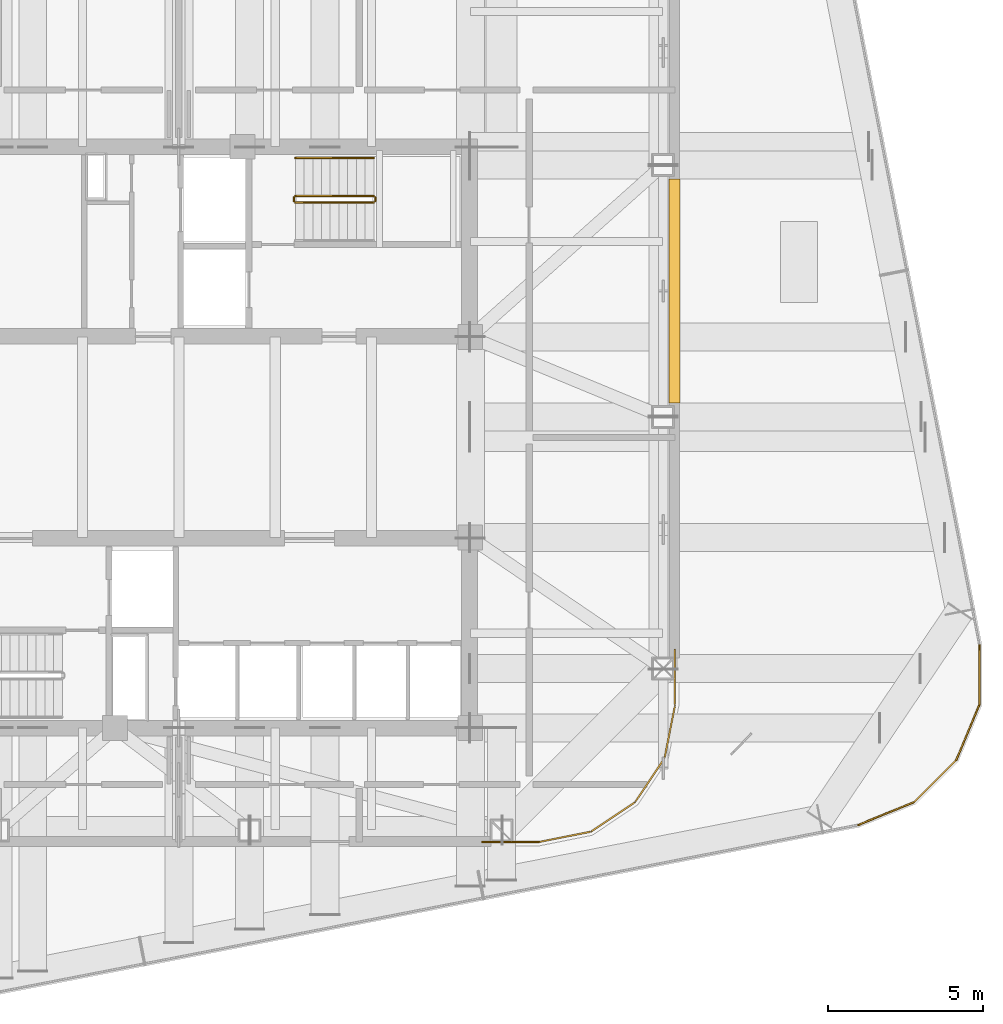
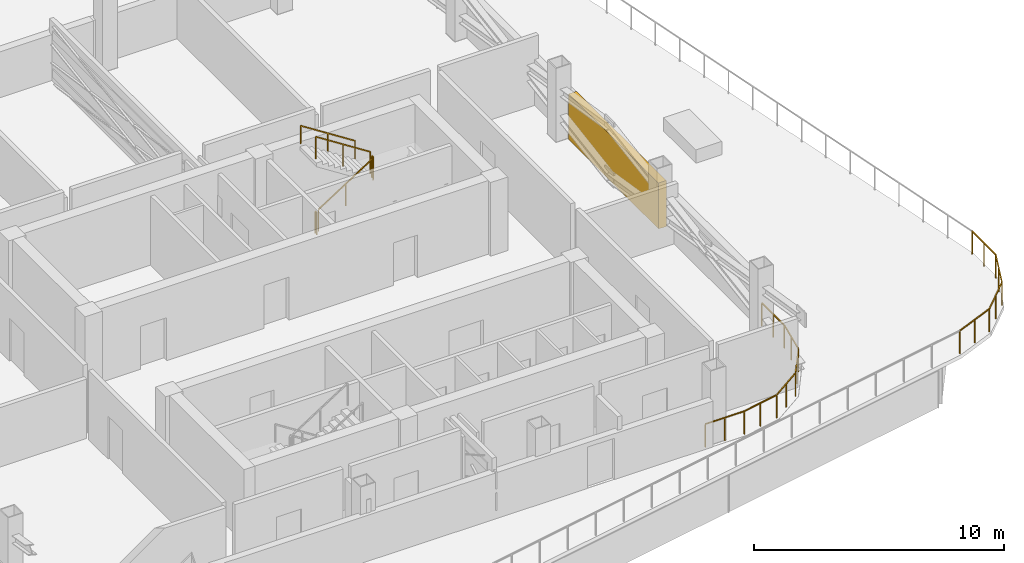
# One storey, part 13 of 14: 11 railings, 1 shading device.
"""IFC4 building model written with IfcOpenShell, lengths in metres."""

import ifcopenshell
import ifcopenshell.guid

model = None  # the IFC model being written
_history = None  # IfcOwnerHistory: only IFC2X3 demands one
_inside = {}  # id of a spatial element -> (the spatial element, [elements in it])
_under = {}  # id of a project, library or spatial element -> (it, [spatial elements below it])
_declared = {}  # id of a project -> (the project, [libraries it declares])
_typed = {}  # id of a type object -> (the type object, [elements of that type])
_made_of = {}  # id of a material, layer set ... -> (it, [elements and type objects made of it])


def new_model(schema):
    """Start an empty IFC model of exactly this schema.

    Asked for "IFC4X3", IfcOpenShell would pick the latest addendum, in which some entities
    have other attributes; the version numbers below select the first issue.
    IFC2X3 requires an IfcOwnerHistory on every rooted entity: one is made here for all.
    """
    global model, _history
    if schema == "IFC4X3":
        model = ifcopenshell.file(schema_version=(4, 3, 0, 0))
    else:
        model = ifcopenshell.file(schema=schema)
    _inside.clear()
    _under.clear()
    _declared.clear()
    _typed.clear()
    _made_of.clear()
    _history = None
    if model.schema == "IFC2X3":
        org = make("IfcOrganization", Name="unknown")
        user = make(
            "IfcPersonAndOrganization",
            ThePerson=make("IfcPerson", FamilyName="unknown"),
            TheOrganization=org,
        )
        app = make(
            "IfcApplication",
            ApplicationDeveloper=org,
            Version="unknown",
            ApplicationFullName="unknown",
            ApplicationIdentifier="unknown",
        )
        _history = make(
            "IfcOwnerHistory",
            OwningUser=user,
            OwningApplication=app,
            ChangeAction="ADDED",
            CreationDate=0,
        )
    return model


def make(cls, **values):
    """One entity of the class cls with the attributes given. An attribute that is None is left unset."""
    return model.create_entity(
        cls, **{name: value for name, value in values.items() if value is not None}
    )


def rooted(cls, **values):
    """An entity with a GlobalId (a new one), such as an element, a storey or a relation."""
    return make(cls, GlobalId=ifcopenshell.guid.new(), OwnerHistory=_history, **values)


def si_unit(unit_type, name, prefix=None):
    """IfcSIUnit, for example si_unit("LENGTHUNIT", "METRE", prefix="MILLI")."""
    return make("IfcSIUnit", UnitType=unit_type, Prefix=prefix, Name=name)


def assignment(units):
    """IfcUnitAssignment: the units of a project."""
    return None if units is None else make("IfcUnitAssignment", Units=units)


def point(xyz):
    """IfcCartesianPoint."""
    return None if xyz is None else make("IfcCartesianPoint", Coordinates=xyz)


def direction(xyz):
    """IfcDirection."""
    return None if xyz is None else make("IfcDirection", DirectionRatios=xyz)


def frame(location, z_axis=None, x_axis=None):
    """IfcAxis2Placement3D, a coordinate frame: its origin and axes. An axis left out is left unset."""
    return make(
        "IfcAxis2Placement3D",
        Location=point(location),
        Axis=direction(z_axis),
        RefDirection=direction(x_axis),
    )


def frame_2d(location, x_axis=None):
    """IfcAxis2Placement2D, a coordinate frame in the plane: its origin and x axis."""
    return make(
        "IfcAxis2Placement2D", Location=point(location), RefDirection=direction(x_axis)
    )


def origin():
    """The frame at (0, 0, 0) with its axes left unset."""
    return frame((0.0, 0.0, 0.0))


def origin_2d():
    """The frame at (0, 0) in the plane with its x axis left unset."""
    return frame_2d((0.0, 0.0))


def place(relative_to, where):
    """IfcLocalPlacement: puts the frame where relative to a parent placement (None: the world)."""
    return make(
        "IfcLocalPlacement", PlacementRelTo=relative_to, RelativePlacement=where
    )


def context(
    kind, dimensions, precision=None, world=None, true_north=None, identifier=None
):
    """IfcGeometricRepresentationContext, for example the 3D "Model" context."""
    return make(
        "IfcGeometricRepresentationContext",
        ContextIdentifier=identifier,
        ContextType=kind,
        CoordinateSpaceDimension=dimensions,
        Precision=precision,
        WorldCoordinateSystem=world,
        TrueNorth=true_north,
    )


def subcontext(parent, identifier, kind, view, scale=None):
    """IfcGeometricRepresentationSubContext, for example "Body" below "Model"."""
    return make(
        "IfcGeometricRepresentationSubContext",
        ContextIdentifier=identifier,
        ContextType=kind,
        ParentContext=parent,
        TargetScale=scale,
        TargetView=view,
    )


def project(units=None, contexts=None):
    """IfcProject with its units and contexts."""
    return rooted(
        "IfcProject",
        Name="project",
        RepresentationContexts=contexts,
        UnitsInContext=assignment(units),
    )


def spatial(cls, under=None, at=None, **own):
    """A site, building, storey or space (cls), placed at a placement, below another one or the project."""
    s = rooted(cls, ObjectPlacement=at, **own)
    if under is not None:
        _under.setdefault(under.id(), (under, []))[1].append(s)
    return s


def profile(cls, at=None, kind="AREA", **sizes):
    """A parametric profile (cls). Its sizes go by their IFC names, for example OverallWidth=200.0."""
    return make(cls, ProfileType=kind, Position=at, **sizes)


def rectangle(**sizes):
    """IfcRectangleProfileDef."""
    return profile("IfcRectangleProfileDef", **sizes)


def extrude(swept, where, along, depth):
    """IfcExtrudedAreaSolid: the profile swept, set in the frame where, extruded along a direction by depth."""
    return make(
        "IfcExtrudedAreaSolid",
        SweptArea=swept,
        Position=where,
        ExtrudedDirection=direction(along),
        Depth=depth,
    )


def shape(context_of_items, identifier, shape_type, items):
    """IfcShapeRepresentation: the items that make up one representation, for example the "Body"."""
    return make(
        "IfcShapeRepresentation",
        ContextOfItems=context_of_items,
        RepresentationIdentifier=identifier,
        RepresentationType=shape_type,
        Items=items,
    )


def material(Name=None, Category=None):
    """IfcMaterial."""
    return make("IfcMaterial", Name=Name, Category=Category)


def made_of(thing, what):
    """Note that an element or type object is made of a material, layer set ...; save() writes the relation."""
    if what is not None:
        _made_of.setdefault(what.id(), (what, []))[1].append(thing)
    return thing


def type_object(cls, material=None, **own):
    """A type object (cls), such as IfcWallType, which elements share."""
    return made_of(rooted(cls, **own), material)


def element(
    cls,
    number,
    at=None,
    inside=None,
    cuts=None,
    type_object=None,
    material=None,
    context=None,
    identifier="Body",
    shape_type=None,
    held_by="IfcProductDefinitionShape",
    body=None,
    shapes=None,
    **own,
):
    """One element of the class cls, such as IfcWall. Its Tag is "e" and its number.

    at: its placement. inside: the storey or other place that contains it. cuts: it is an
    opening in that element (IfcRelVoidsElement). A single representation is given by context,
    identifier, shape_type and body (its items); several are given by shapes. held_by: the class
    of the entity that holds the representations. save() writes the other relations.
    """
    e = rooted(cls, Tag="e%d" % number, ObjectPlacement=at, **own)
    if body is not None:
        shapes = [shape(context, identifier, shape_type, body)]
    if shapes is not None:
        e.Representation = make(held_by, Representations=shapes)
    if inside is not None:
        _inside.setdefault(inside.id(), (inside, []))[1].append(e)
    if cuts is not None:
        rooted(
            "IfcRelVoidsElement", RelatingBuildingElement=cuts, RelatedOpeningElement=e
        )
    if type_object is not None:
        _typed.setdefault(type_object.id(), (type_object, []))[1].append(e)
    return made_of(e, material)


def aggregate(whole, parts):
    """IfcRelAggregates: a whole, such as a stair, and the parts it consists of."""
    return rooted("IfcRelAggregates", RelatingObject=whole, RelatedObjects=parts)


def save(model, path):
    """Write the relations noted so far, then the file.

    IfcRelAggregates (storeys below a building ...), IfcRelContainedInSpatialStructure (elements
    in a storey), IfcRelDefinesByType, IfcRelAssociatesMaterial and IfcRelDeclares: one each for
    every whole, place, type object, material and project.
    """
    for whole, parts in _under.values():
        aggregate(whole, parts)
    for where, things in _inside.values():
        rooted(
            "IfcRelContainedInSpatialStructure",
            RelatedElements=things,
            RelatingStructure=where,
        )
    for kind, things in _typed.values():
        rooted("IfcRelDefinesByType", RelatedObjects=things, RelatingType=kind)
    for what, things in _made_of.values():
        rooted("IfcRelAssociatesMaterial", RelatedObjects=things, RelatingMaterial=what)
    for by, libraries in _declared.values():
        rooted("IfcRelDeclares", RelatingContext=by, RelatedDefinitions=libraries)
    model.write(path)


model = new_model("IFC4")

# Units and contexts
model_context = context("Model", 3, precision=1e-05, world=origin(), true_north=direction((0.0, 1.0)))
body_context = subcontext(model_context, "Body", "Model", "MODEL_VIEW")
ifc_project = project(units=[si_unit("LENGTHUNIT", "METRE"), si_unit("AREAUNIT", "SQUARE_METRE"), si_unit("VOLUMEUNIT", "CUBIC_METRE"), si_unit("PLANEANGLEUNIT", "RADIAN"), si_unit("MASSUNIT", "GRAM", prefix="KILO")], contexts=[model_context])

# Site, building, storey
site_placement = place(None, origin())
site = spatial("IfcSite", under=ifc_project, at=site_placement, CompositionType="ELEMENT")
building_placement = place(site_placement, origin())
building = spatial("IfcBuilding", under=site, at=building_placement, Name="Qhalaya Broadcast Tower", CompositionType="ELEMENT")
storey_placement = place(building_placement, frame((0.0, 0.0, 144.60009765625)))
storey = spatial("IfcBuildingStorey", under=building, at=storey_placement, Name="L42", CompositionType="ELEMENT", Elevation=144.60009765625)

# Shading device
ifc_material_1 = material(Name="Fired Architectural Terracotta", Category="masonry")
shading_device_type = type_object("IfcShadingDeviceType", Name="Plant & Turbine-Slot Acoustic Louvre Screen LVS-01", PredefinedType="USERDEFINED", material=ifc_material_1)
shading_device_placement = place(storey_placement, frame((15.93994140625, 5.31005859375, 0.0), z_axis=(0.0, 0.0, 1.0), x_axis=(0.0, -1.0, 0.0)))
element("IfcShadingDevice", 1, at=shading_device_placement, inside=storey, type_object=shading_device_type, Name="L42 Plant Acoustic Louvre Screen E", ObjectType="LOUVRE", PredefinedType="USERDEFINED", context=body_context, shape_type="SweptSolid", body=[
    extrude(rectangle(XDim=7.199951171875, YDim=0.360107421875, at=origin_2d()), origin(), (0.0, 0.0, 1.0), 2.241943359375),
])

# Railings
ifc_material_2 = material(Name="Powder-Coated Galvanised Steel", Category="steel")
railing_type_1 = type_object("IfcRailingType", Name="Stair Wall Handrail 900", PredefinedType="HANDRAIL", material=ifc_material_2)
railing_1_placement = place(storey_placement, frame((6.27001953125, 9.590087890625, 1.97998046875)))
element("IfcRailing", 2, at=railing_1_placement, inside=storey, type_object=railing_type_1, Name="L42 ST-1 Stair Handrail 2", PredefinedType="HANDRAIL", context=body_context, shape_type="SweptSolid", body=[
    extrude(rectangle(XDim=0.048095703125, YDim=0.048095703125, at=origin_2d()), frame((0.0, 0.0, 0.8759765625), z_axis=(-0.841199657755, 0.0, 0.540724639528), x_axis=(0.0, -1.0, 0.0)), (0.0, 0.0, 1.0), 2.995849609375),
    extrude(rectangle(XDim=0.0419921875, YDim=0.0419921875, at=origin_2d()), origin(), (0.0, 0.0, 1.0), 0.849853515625),
    extrude(rectangle(XDim=0.0419921875, YDim=0.0419921875, at=origin_2d()), frame((-1.260009765625, 0.0, 0.81005859375)), (0.0, 0.0, 1.0), 0.849853515625),
    extrude(rectangle(XDim=0.0419921875, YDim=0.0419921875, at=origin_2d()), frame((-2.52001953125, 0.0, 1.619873046875)), (0.0, 0.0, 1.0), 0.849853515625),
])
railing_type_2 = type_object("IfcRailingType", Name="Stair Well & Landing Guardrail 1100", PredefinedType="GUARDRAIL", material=ifc_material_2)
railing_2_placement = place(storey_placement, frame((3.75, 8.14990234375, 0.179931640625)))
element("IfcRailing", 3, at=railing_2_placement, inside=storey, type_object=railing_type_2, Name="L42 ST-1 Stair Guard 1", PredefinedType="GUARDRAIL", context=body_context, shape_type="SweptSolid", body=[
    extrude(rectangle(XDim=0.048095703125, YDim=0.048095703125, at=origin_2d()), frame((0.0, 0.0, 1.076171875), z_axis=(0.841199657755, 0.0, 0.540724639528), x_axis=(0.0, 1.0, 0.0)), (0.0, 0.0, 1.0), 2.995849609375),
    extrude(rectangle(XDim=0.0419921875, YDim=0.0419921875, at=origin_2d()), origin(), (0.0, 0.0, 1.0), 1.050048828125),
    extrude(rectangle(XDim=0.0419921875, YDim=0.0419921875, at=origin_2d()), frame((1.260009765625, 0.0, 0.81005859375)), (0.0, 0.0, 1.0), 1.050048828125),
    extrude(rectangle(XDim=0.0419921875, YDim=0.0419921875, at=origin_2d()), frame((2.52001953125, 0.0, 1.619873046875)), (0.0, 0.0, 1.0), 1.050048828125),
])
railing_3_placement = place(storey_placement, frame((6.320068359375, 8.199951171875, 1.7998046875)))
element("IfcRailing", 4, at=railing_3_placement, inside=storey, type_object=railing_type_2, Name="L42 ST-1 Stair Guard 2", PredefinedType="GUARDRAIL", context=body_context, shape_type="SweptSolid", body=[
    extrude(rectangle(XDim=0.048095703125, YDim=0.048095703125, at=origin_2d()), frame((0.0, 0.0, 1.076171875), z_axis=(0.0, 1.0, 0.0), x_axis=(-1.0, 0.0, 0.0)), (0.0, 0.0, 1.0), 0.1201171875),
    extrude(rectangle(XDim=0.0419921875, YDim=0.0419921875, at=origin_2d()), origin(), (0.0, 0.0, 1.0), 1.050048828125),
    extrude(rectangle(XDim=0.0419921875, YDim=0.0419921875, at=origin_2d()), frame((0.0, 0.1201171875, 0.0)), (0.0, 0.0, 1.0), 1.050048828125),
])
railing_4_placement = place(storey_placement, frame((6.27001953125, 8.3701171875, 1.97998046875)))
element("IfcRailing", 5, at=railing_4_placement, inside=storey, type_object=railing_type_2, Name="L42 ST-1 Stair Guard 3", PredefinedType="GUARDRAIL", context=body_context, shape_type="SweptSolid", body=[
    extrude(rectangle(XDim=0.048095703125, YDim=0.048095703125, at=origin_2d()), frame((0.0, 0.0, 1.076171875), z_axis=(-0.841199657755, 0.0, 0.540724639528), x_axis=(0.0, -1.0, 0.0)), (0.0, 0.0, 1.0), 2.995849609375),
    extrude(rectangle(XDim=0.0419921875, YDim=0.0419921875, at=origin_2d()), origin(), (0.0, 0.0, 1.0), 1.050048828125),
    extrude(rectangle(XDim=0.0419921875, YDim=0.0419921875, at=origin_2d()), frame((-1.260009765625, 0.0, 0.81005859375)), (0.0, 0.0, 1.0), 1.050048828125),
    extrude(rectangle(XDim=0.0419921875, YDim=0.0419921875, at=origin_2d()), frame((-2.52001953125, 0.0, 1.619873046875)), (0.0, 0.0, 1.0), 1.050048828125),
])
railing_5_placement = place(storey_placement, frame((3.699951171875, 8.199951171875, 0.0)))
element("IfcRailing", 6, at=railing_5_placement, inside=storey, type_object=railing_type_2, Name="L42 ST-1 Stair Guard 4", PredefinedType="GUARDRAIL", context=body_context, shape_type="SweptSolid", body=[
    extrude(rectangle(XDim=0.048095703125, YDim=0.048095703125, at=origin_2d()), frame((0.0, 0.0, 1.076171875), z_axis=(0.0, 1.0, 0.0), x_axis=(-1.0, 0.0, 0.0)), (0.0, 0.0, 1.0), 0.1201171875),
    extrude(rectangle(XDim=0.0419921875, YDim=0.0419921875, at=origin_2d()), origin(), (0.0, 0.0, 1.0), 1.050048828125),
    extrude(rectangle(XDim=0.0419921875, YDim=0.0419921875, at=origin_2d()), frame((0.0, 0.1201171875, 0.0)), (0.0, 0.0, 1.0), 1.050048828125),
])
railing_type_3 = type_object("IfcRailingType", Name="Terrace, Sky-Pool & Lookout Glass Balustrade 1150", PredefinedType="BALUSTRADE", material=ifc_material_2)
railing_6_placement = place(storey_placement, frame((25.756103515625, -6.089599609375, 0.0)))
element("IfcRailing", 7, at=railing_6_placement, inside=storey, type_object=railing_type_3, Name="L42 Perimeter Safety Balustrade BAL-TER1-17", PredefinedType="BALUSTRADE", context=body_context, shape_type="SweptSolid", body=[
    extrude(rectangle(XDim=0.048095703125, YDim=0.048095703125, at=origin_2d()), frame((0.0, 0.0, 1.1259765625), z_axis=(-0.004307574377, -0.999990722358, 0.0), x_axis=(0.999990722358, -0.004307574377, 0.0)), (0.0, 0.0, 1.0), 1.927001953125),
    extrude(rectangle(XDim=0.0419921875, YDim=0.0419921875, at=origin_2d()), origin(), (0.0, 0.0, 1.0), 1.099853515625),
    extrude(rectangle(XDim=0.0419921875, YDim=0.0419921875, at=origin_2d()), frame((-0.004150390625, -0.96337890625, 0.0)), (0.0, 0.0, 1.0), 1.099853515625),
    extrude(rectangle(XDim=0.0419921875, YDim=0.0419921875, at=origin_2d()), frame((-0.00830078125, -1.927001953125, 0.0)), (0.0, 0.0, 1.0), 1.099853515625),
])
railing_7_placement = place(storey_placement, frame((25.747802734375, -8.0166015625, 0.0)))
element("IfcRailing", 8, at=railing_7_placement, inside=storey, type_object=railing_type_3, Name="L42 Perimeter Safety Balustrade BAL-TER1-18", PredefinedType="BALUSTRADE", context=body_context, shape_type="SweptSolid", body=[
    extrude(rectangle(XDim=0.048095703125, YDim=0.048095703125, at=origin_2d()), frame((0.0, 0.0, 1.1259765625), z_axis=(-0.386691780057, -0.92220901494, 0.0), x_axis=(0.92220901494, -0.386691780057, 0.0)), (0.0, 0.0, 1.0), 1.91943359375),
    extrude(rectangle(XDim=0.0419921875, YDim=0.0419921875, at=origin_2d()), origin(), (0.0, 0.0, 1.0), 1.099853515625),
    extrude(rectangle(XDim=0.0419921875, YDim=0.0419921875, at=origin_2d()), frame((-0.37109375, -0.885009765625, 0.0)), (0.0, 0.0, 1.0), 1.099853515625),
    extrude(rectangle(XDim=0.0419921875, YDim=0.0419921875, at=origin_2d()), frame((-0.7421875, -1.77001953125, 0.0)), (0.0, 0.0, 1.0), 1.099853515625),
])
railing_8_placement = place(storey_placement, frame((25.005615234375, -9.78662109375, 0.0)))
element("IfcRailing", 9, at=railing_8_placement, inside=storey, type_object=railing_type_3, Name="L42 Perimeter Safety Balustrade BAL-TER1-19", PredefinedType="BALUSTRADE", context=body_context, shape_type="SweptSolid", body=[
    extrude(rectangle(XDim=0.048095703125, YDim=0.048095703125, at=origin_2d()), frame((0.0, 0.0, 1.1259765625), z_axis=(-0.71028017702, -0.70391907925, 0.0), x_axis=(0.70391907925, -0.71028017702, 0.0)), (0.0, 0.0, 1.0), 1.9189453125),
    extrude(rectangle(XDim=0.0419921875, YDim=0.0419921875, at=origin_2d()), origin(), (0.0, 0.0, 1.0), 1.099853515625),
    extrude(rectangle(XDim=0.0419921875, YDim=0.0419921875, at=origin_2d()), frame((-0.681640625, -0.67529296875, 0.0)), (0.0, 0.0, 1.0), 1.099853515625),
    extrude(rectangle(XDim=0.0419921875, YDim=0.0419921875, at=origin_2d()), frame((-1.363037109375, -1.350830078125, 0.0)), (0.0, 0.0, 1.0), 1.099853515625),
])
railing_9_placement = place(storey_placement, frame((23.642578125, -11.137451171875, 0.0)))
element("IfcRailing", 10, at=railing_9_placement, inside=storey, type_object=railing_type_3, Name="L42 Perimeter Safety Balustrade BAL-TER1-20", PredefinedType="BALUSTRADE", context=body_context, shape_type="SweptSolid", body=[
    extrude(rectangle(XDim=0.048095703125, YDim=0.048095703125, at=origin_2d()), frame((0.0, 0.0, 1.1259765625), z_axis=(-0.92553888422, -0.37865257664, 0.0), x_axis=(0.37865257664, -0.92553888422, 0.0)), (0.0, 0.0, 1.0), 1.92724609375),
    extrude(rectangle(XDim=0.0419921875, YDim=0.0419921875, at=origin_2d()), origin(), (0.0, 0.0, 1.0), 1.099853515625),
    extrude(rectangle(XDim=0.0419921875, YDim=0.0419921875, at=origin_2d()), frame((-0.891845703125, -0.36474609375, 0.0)), (0.0, 0.0, 1.0), 1.099853515625),
    extrude(rectangle(XDim=0.0419921875, YDim=0.0419921875, at=origin_2d()), frame((-1.78369140625, -0.729736328125, 0.0)), (0.0, 0.0, 1.0), 1.099853515625),
])
railing_10_placement = place(storey_placement, frame((11.568115234375, -12.419921875, 0.0)))
element("IfcRailing", 11, at=railing_10_placement, inside=storey, type_object=railing_type_3, Name="L42 Rounded Corner Perimeter Guard 01", PredefinedType="BALUSTRADE", context=body_context, shape_type="SweptSolid", body=[
    extrude(rectangle(XDim=0.048095703125, YDim=0.048095703125, at=origin_2d()), frame((0.0, 0.0, 1.1259765625), z_axis=(-1.0, 0.0, 0.0), x_axis=(0.0, -1.0, 0.0)), (0.0, 0.0, 1.0), 1.80615234375),
    extrude(rectangle(XDim=0.0419921875, YDim=0.0419921875, at=origin_2d()), origin(), (0.0, 0.0, 1.0), 1.099853515625),
    extrude(rectangle(XDim=0.0419921875, YDim=0.0419921875, at=origin_2d()), frame((-0.903076171875, 0.0, 0.0)), (0.0, 0.0, 1.0), 1.099853515625),
    extrude(rectangle(XDim=0.0419921875, YDim=0.0419921875, at=origin_2d()), frame((-1.80615234375, 0.0, 0.0)), (0.0, 0.0, 1.0), 1.099853515625),
])
railing_11_placement = place(storey_placement, frame((15.9599609375, -6.221923828125, 0.0)))
element("IfcRailing", 12, at=railing_11_placement, inside=storey, type_object=railing_type_3, Name="L42 Rounded Corner Perimeter Guard 05", PredefinedType="BALUSTRADE", context=body_context, shape_type="SweptSolid", body=[
    extrude(rectangle(XDim=0.048095703125, YDim=0.048095703125, at=origin_2d()), frame((0.0, 0.0, 1.1259765625), z_axis=(0.0, -1.0, 0.0), x_axis=(1.0, 0.0, 0.0)), (0.0, 0.0, 1.0), 1.777587890625),
    extrude(rectangle(XDim=0.048095703125, YDim=0.048095703125, at=origin_2d()), frame((-0.005615234375, -1.834716796875, 1.1259765625), z_axis=(-0.195024175165, -0.980798435511, 0.0), x_axis=(0.980798435511, -0.195024175165, 0.0)), (0.0, 0.0, 1.0), 1.662353515625),
    extrude(rectangle(XDim=0.048095703125, YDim=0.048095703125, at=origin_2d()), frame((-0.3515625, -3.517333984375, 1.1259765625), z_axis=(-0.555590476887, -0.831456085426, 0.0), x_axis=(0.831456085426, -0.555590476887, 0.0)), (0.0, 0.0, 1.0), 1.650390625),
    extrude(rectangle(XDim=0.048095703125, YDim=0.048095703125, at=origin_2d()), frame((-1.308349609375, -4.9296875, 1.1259765625), z_axis=(-0.831456085426, -0.555590476887, 0.0), x_axis=(0.555590476887, -0.831456085426, 0.0)), (0.0, 0.0, 1.0), 1.650390625),
    extrude(rectangle(XDim=0.048095703125, YDim=0.048095703125, at=origin_2d()), frame((-2.73291015625, -5.8681640625, 1.1259765625), z_axis=(-0.980803832953, -0.194997028864, 0.0), x_axis=(0.194997028864, -0.980803832953, 0.0)), (0.0, 0.0, 1.0), 1.69140625),
    extrude(rectangle(XDim=0.0419921875, YDim=0.0419921875, at=origin_2d()), origin(), (0.0, 0.0, 1.0), 1.099853515625),
    extrude(rectangle(XDim=0.0419921875, YDim=0.0419921875, at=origin_2d()), frame((0.0, -0.9033203125, 0.0)), (0.0, 0.0, 1.0), 1.099853515625),
    extrude(rectangle(XDim=0.0419921875, YDim=0.0419921875, at=origin_2d()), frame((0.0, -1.806396484375, 0.0)), (0.0, 0.0, 1.0), 1.099853515625),
    extrude(rectangle(XDim=0.0419921875, YDim=0.0419921875, at=origin_2d()), frame((-0.167724609375, -2.64990234375, 0.0)), (0.0, 0.0, 1.0), 1.099853515625),
    extrude(rectangle(XDim=0.0419921875, YDim=0.0419921875, at=origin_2d()), frame((-0.33544921875, -3.493408203125, 0.0)), (0.0, 0.0, 1.0), 1.099853515625),
    extrude(rectangle(XDim=0.0419921875, YDim=0.0419921875, at=origin_2d()), frame((-0.81005859375, -4.20361328125, 0.0)), (0.0, 0.0, 1.0), 1.099853515625),
    extrude(rectangle(XDim=0.0419921875, YDim=0.0419921875, at=origin_2d()), frame((-1.284423828125, -4.91357421875, 0.0)), (0.0, 0.0, 1.0), 1.099853515625),
    extrude(rectangle(XDim=0.0419921875, YDim=0.0419921875, at=origin_2d()), frame((-1.99462890625, -5.38818359375, 0.0)), (0.0, 0.0, 1.0), 1.099853515625),
    extrude(rectangle(XDim=0.0419921875, YDim=0.0419921875, at=origin_2d()), frame((-2.70458984375, -5.862548828125, 0.0)), (0.0, 0.0, 1.0), 1.099853515625),
    extrude(rectangle(XDim=0.0419921875, YDim=0.0419921875, at=origin_2d()), frame((-3.54833984375, -6.0302734375, 0.0)), (0.0, 0.0, 1.0), 1.099853515625),
    extrude(rectangle(XDim=0.0419921875, YDim=0.0419921875, at=origin_2d()), frame((-4.391845703125, -6.197998046875, 0.0)), (0.0, 0.0, 1.0), 1.099853515625),
])

save(model, "model.ifc")
